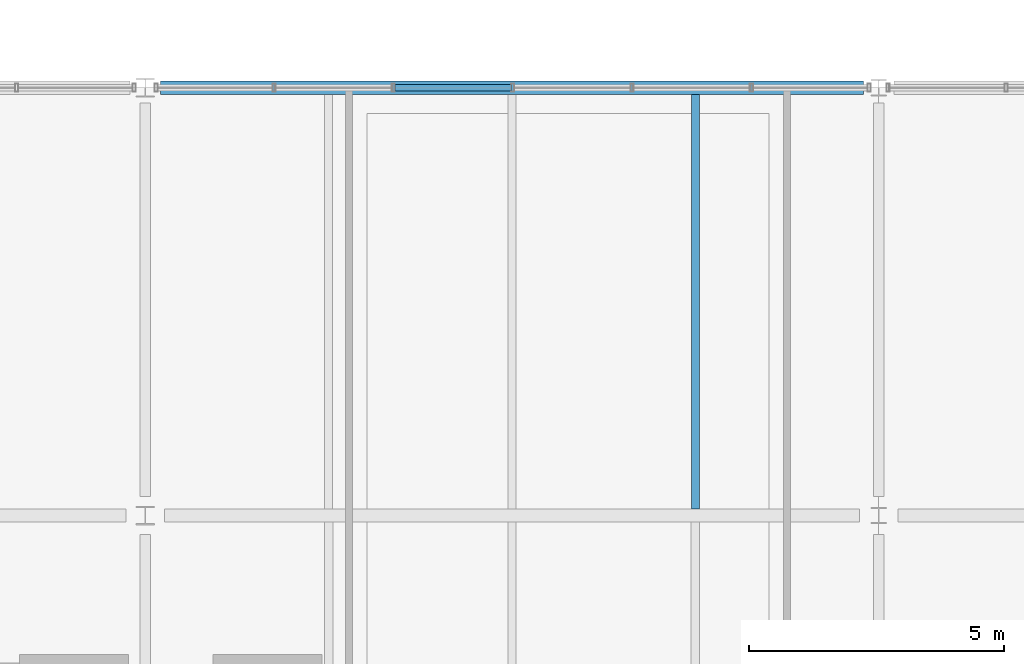
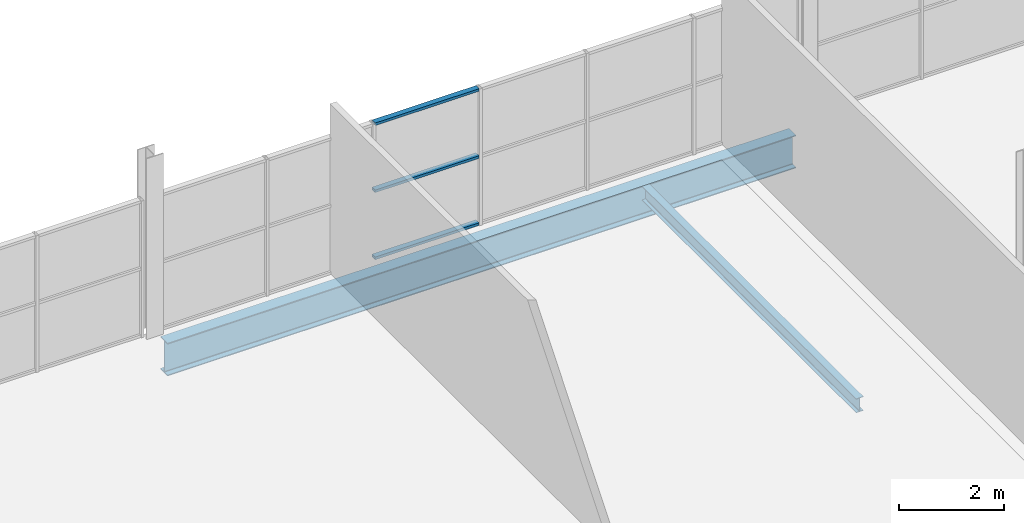
# One storey, part 80 of 161: 3 members, 2 beams, 1 element without a shape of its own.
"""IFC4 building model written with IfcOpenShell, lengths in metres."""

import ifcopenshell
import ifcopenshell.guid

model = None  # the IFC model being written
_history = None  # IfcOwnerHistory: only IFC2X3 demands one
_inside = {}  # id of a spatial element -> (the spatial element, [elements in it])
_under = {}  # id of a project, library or spatial element -> (it, [spatial elements below it])
_declared = {}  # id of a project -> (the project, [libraries it declares])
_typed = {}  # id of a type object -> (the type object, [elements of that type])
_made_of = {}  # id of a material, layer set ... -> (it, [elements and type objects made of it])


def new_model(schema):
    """Start an empty IFC model of exactly this schema.

    Asked for "IFC4X3", IfcOpenShell would pick the latest addendum, in which some entities
    have other attributes; the version numbers below select the first issue.
    IFC2X3 requires an IfcOwnerHistory on every rooted entity: one is made here for all.
    """
    global model, _history
    if schema == "IFC4X3":
        model = ifcopenshell.file(schema_version=(4, 3, 0, 0))
    else:
        model = ifcopenshell.file(schema=schema)
    _inside.clear()
    _under.clear()
    _declared.clear()
    _typed.clear()
    _made_of.clear()
    _history = None
    if model.schema == "IFC2X3":
        org = make("IfcOrganization", Name="unknown")
        user = make(
            "IfcPersonAndOrganization",
            ThePerson=make("IfcPerson", FamilyName="unknown"),
            TheOrganization=org,
        )
        app = make(
            "IfcApplication",
            ApplicationDeveloper=org,
            Version="unknown",
            ApplicationFullName="unknown",
            ApplicationIdentifier="unknown",
        )
        _history = make(
            "IfcOwnerHistory",
            OwningUser=user,
            OwningApplication=app,
            ChangeAction="ADDED",
            CreationDate=0,
        )
    return model


def make(cls, **values):
    """One entity of the class cls with the attributes given. An attribute that is None is left unset."""
    return model.create_entity(
        cls, **{name: value for name, value in values.items() if value is not None}
    )


def rooted(cls, **values):
    """An entity with a GlobalId (a new one), such as an element, a storey or a relation."""
    return make(cls, GlobalId=ifcopenshell.guid.new(), OwnerHistory=_history, **values)


def si_unit(unit_type, name, prefix=None):
    """IfcSIUnit, for example si_unit("LENGTHUNIT", "METRE", prefix="MILLI")."""
    return make("IfcSIUnit", UnitType=unit_type, Prefix=prefix, Name=name)


def assignment(units):
    """IfcUnitAssignment: the units of a project."""
    return None if units is None else make("IfcUnitAssignment", Units=units)


def point(xyz):
    """IfcCartesianPoint."""
    return None if xyz is None else make("IfcCartesianPoint", Coordinates=xyz)


def direction(xyz):
    """IfcDirection."""
    return None if xyz is None else make("IfcDirection", DirectionRatios=xyz)


def frame(location, z_axis=None, x_axis=None):
    """IfcAxis2Placement3D, a coordinate frame: its origin and axes. An axis left out is left unset."""
    return make(
        "IfcAxis2Placement3D",
        Location=point(location),
        Axis=direction(z_axis),
        RefDirection=direction(x_axis),
    )


def frame_2d(location, x_axis=None):
    """IfcAxis2Placement2D, a coordinate frame in the plane: its origin and x axis."""
    return make(
        "IfcAxis2Placement2D", Location=point(location), RefDirection=direction(x_axis)
    )


def origin():
    """The frame at (0, 0, 0) with its axes left unset."""
    return frame((0.0, 0.0, 0.0))


def origin_2d():
    """The frame at (0, 0) in the plane with its x axis left unset."""
    return frame_2d((0.0, 0.0))


def place(relative_to, where):
    """IfcLocalPlacement: puts the frame where relative to a parent placement (None: the world)."""
    return make(
        "IfcLocalPlacement", PlacementRelTo=relative_to, RelativePlacement=where
    )


def context(
    kind, dimensions, precision=None, world=None, true_north=None, identifier=None
):
    """IfcGeometricRepresentationContext, for example the 3D "Model" context."""
    return make(
        "IfcGeometricRepresentationContext",
        ContextIdentifier=identifier,
        ContextType=kind,
        CoordinateSpaceDimension=dimensions,
        Precision=precision,
        WorldCoordinateSystem=world,
        TrueNorth=true_north,
    )


def subcontext(parent, identifier, kind, view, scale=None):
    """IfcGeometricRepresentationSubContext, for example "Body" below "Model"."""
    return make(
        "IfcGeometricRepresentationSubContext",
        ContextIdentifier=identifier,
        ContextType=kind,
        ParentContext=parent,
        TargetScale=scale,
        TargetView=view,
    )


def project(units=None, contexts=None):
    """IfcProject with its units and contexts."""
    return rooted(
        "IfcProject",
        Name="project",
        RepresentationContexts=contexts,
        UnitsInContext=assignment(units),
    )


def spatial(cls, under=None, at=None, **own):
    """A site, building, storey or space (cls), placed at a placement, below another one or the project."""
    s = rooted(cls, ObjectPlacement=at, **own)
    if under is not None:
        _under.setdefault(under.id(), (under, []))[1].append(s)
    return s


def profile(cls, at=None, kind="AREA", **sizes):
    """A parametric profile (cls). Its sizes go by their IFC names, for example OverallWidth=200.0."""
    return make(cls, ProfileType=kind, Position=at, **sizes)


def hollow_rectangle(**sizes):
    """IfcRectangleHollowProfileDef."""
    return profile("IfcRectangleHollowProfileDef", **sizes)


def i_section(**sizes):
    """IfcIShapeProfileDef."""
    return profile("IfcIShapeProfileDef", **sizes)


def extrude(swept, where, along, depth):
    """IfcExtrudedAreaSolid: the profile swept, set in the frame where, extruded along a direction by depth."""
    return make(
        "IfcExtrudedAreaSolid",
        SweptArea=swept,
        Position=where,
        ExtrudedDirection=direction(along),
        Depth=depth,
    )


def shape(context_of_items, identifier, shape_type, items):
    """IfcShapeRepresentation: the items that make up one representation, for example the "Body"."""
    return make(
        "IfcShapeRepresentation",
        ContextOfItems=context_of_items,
        RepresentationIdentifier=identifier,
        RepresentationType=shape_type,
        Items=items,
    )


def material(Name=None, Category=None):
    """IfcMaterial."""
    return make("IfcMaterial", Name=Name, Category=Category)


def material_profile(
    of_material, cross_section, Name=None, Category=None, Priority=None
):
    """IfcMaterialProfile: a cross section and its material."""
    return make(
        "IfcMaterialProfile",
        Name=Name,
        Material=of_material,
        Profile=cross_section,
        Priority=Priority,
        Category=Category,
    )


def profile_set(profiles, Name=None, composite=None):
    """IfcMaterialProfileSet."""
    return make(
        "IfcMaterialProfileSet",
        Name=Name,
        MaterialProfiles=profiles,
        CompositeProfile=composite,
    )


def made_of(thing, what):
    """Note that an element or type object is made of a material, layer set ...; save() writes the relation."""
    if what is not None:
        _made_of.setdefault(what.id(), (what, []))[1].append(thing)
    return thing


def type_object(cls, material=None, **own):
    """A type object (cls), such as IfcWallType, which elements share."""
    return made_of(rooted(cls, **own), material)


def element(
    cls,
    number,
    at=None,
    inside=None,
    cuts=None,
    type_object=None,
    material=None,
    context=None,
    identifier="Body",
    shape_type=None,
    held_by="IfcProductDefinitionShape",
    body=None,
    shapes=None,
    **own,
):
    """One element of the class cls, such as IfcWall. Its Tag is "e" and its number.

    at: its placement. inside: the storey or other place that contains it. cuts: it is an
    opening in that element (IfcRelVoidsElement). A single representation is given by context,
    identifier, shape_type and body (its items); several are given by shapes. held_by: the class
    of the entity that holds the representations. save() writes the other relations.
    """
    e = rooted(cls, Tag="e%d" % number, ObjectPlacement=at, **own)
    if body is not None:
        shapes = [shape(context, identifier, shape_type, body)]
    if shapes is not None:
        e.Representation = make(held_by, Representations=shapes)
    if inside is not None:
        _inside.setdefault(inside.id(), (inside, []))[1].append(e)
    if cuts is not None:
        rooted(
            "IfcRelVoidsElement", RelatingBuildingElement=cuts, RelatedOpeningElement=e
        )
    if type_object is not None:
        _typed.setdefault(type_object.id(), (type_object, []))[1].append(e)
    return made_of(e, material)


def aggregate(whole, parts):
    """IfcRelAggregates: a whole, such as a stair, and the parts it consists of."""
    return rooted("IfcRelAggregates", RelatingObject=whole, RelatedObjects=parts)


def save(model, path):
    """Write the relations noted so far, then the file.

    IfcRelAggregates (storeys below a building ...), IfcRelContainedInSpatialStructure (elements
    in a storey), IfcRelDefinesByType, IfcRelAssociatesMaterial and IfcRelDeclares: one each for
    every whole, place, type object, material and project.
    """
    for whole, parts in _under.values():
        aggregate(whole, parts)
    for where, things in _inside.values():
        rooted(
            "IfcRelContainedInSpatialStructure",
            RelatedElements=things,
            RelatingStructure=where,
        )
    for kind, things in _typed.values():
        rooted("IfcRelDefinesByType", RelatedObjects=things, RelatingType=kind)
    for what, things in _made_of.values():
        rooted("IfcRelAssociatesMaterial", RelatedObjects=things, RelatingMaterial=what)
    for by, libraries in _declared.values():
        rooted("IfcRelDeclares", RelatingContext=by, RelatedDefinitions=libraries)
    model.write(path)


model = new_model("IFC4")

# Units and contexts
model_context = context("Model", 3, precision=1e-05, world=origin(), true_north=direction((0.0, 1.0)))
body_context = subcontext(model_context, "Body", "Model", "MODEL_VIEW")
ifc_project = project(units=[si_unit("LENGTHUNIT", "METRE"), si_unit("AREAUNIT", "SQUARE_METRE"), si_unit("VOLUMEUNIT", "CUBIC_METRE"), si_unit("PLANEANGLEUNIT", "RADIAN"), si_unit("MASSUNIT", "GRAM", prefix="KILO"), si_unit("THERMODYNAMICTEMPERATUREUNIT", "KELVIN")], contexts=[model_context])

# Site, building, storey
site_placement = place(None, origin())
site = spatial("IfcSite", under=ifc_project, at=site_placement, CompositionType="ELEMENT")
building_placement = place(site_placement, origin())
building = spatial("IfcBuilding", under=site, at=building_placement, Name="Nduvali Passage Aquatics Centre", CompositionType="ELEMENT")
storey_placement = place(building_placement, frame((0.0, 0.0, 4.800048828125)))
storey = spatial("IfcBuildingStorey", under=building, at=storey_placement, Name="L01", CompositionType="ELEMENT", Elevation=4.800048828125)

# Curtain wall, members
ifc_material_1 = material(Name="Aluminium EN AW-6063 T6", Category="aluminium")
curtain_wall_type = type_object("IfcCurtainWallType", Name="ENV-CW-WELL", PredefinedType="NOTDEFINED", material=ifc_material_1)
curtain_wall_placement = place(storey_placement, origin())
curtain_wall = element("IfcCurtainWall", 1, at=curtain_wall_placement, inside=storey, type_object=curtain_wall_type, Name="L01 North Avenue Fitness CW 108", PredefinedType="NOTDEFINED")
ifc_material_profile_1 = material_profile(ifc_material_1, hollow_rectangle(XDim=0.1201171875, YDim=0.06005859375, WallThickness=0.00390625, at=origin_2d()), Name="ALU TRANSOM 120x60x4")
ifc_profile_set_1 = profile_set([ifc_material_profile_1], Name="Aluminium EN AW-6063 T6")
member_type = type_object("IfcMemberType", Name="ENV-MEM-TRN60", PredefinedType="USERDEFINED", material=ifc_profile_set_1)
member_1_placement = place(storey_placement, frame((87.701904296875, 117.60009765625, 0.030029296875), z_axis=(1.0, 0.0, 0.0), x_axis=(0.0, 1.0, 0.0)))
member_1 = element("IfcMember", 2, at=member_1_placement, type_object=member_type, Name="North Avenue Fitness CW Transom B3-R0", ObjectType="TRANSOM", PredefinedType="USERDEFINED", context=body_context, shape_type="SweptSolid", body=[
    extrude(hollow_rectangle(XDim=0.1201171875, YDim=0.06005859375, WallThickness=0.00390625, at=origin_2d()), origin(), (0.0, 0.0, 1.0), 2.283447265625),
])
member_2_placement = place(storey_placement, frame((87.701904296875, 117.60009765625, 1.5869140625), z_axis=(1.0, 0.0, 0.0), x_axis=(0.0, 1.0, 0.0)))
member_2 = element("IfcMember", 3, at=member_2_placement, type_object=member_type, Name="North Avenue Fitness CW Transom B3-R1", ObjectType="TRANSOM", PredefinedType="USERDEFINED", context=body_context, shape_type="SweptSolid", body=[
    extrude(hollow_rectangle(XDim=0.1201171875, YDim=0.06005859375, WallThickness=0.00390625, at=origin_2d()), origin(), (0.0, 0.0, 1.0), 2.283447265625),
])
member_3_placement = place(storey_placement, frame((87.701904296875, 117.60009765625, 3.143798828125), z_axis=(1.0, 0.0, 0.0), x_axis=(0.0, 1.0, 0.0)))
member_3 = element("IfcMember", 4, at=member_3_placement, type_object=member_type, Name="North Avenue Fitness CW Transom B3-R2", ObjectType="TRANSOM", PredefinedType="USERDEFINED", context=body_context, shape_type="SweptSolid", body=[
    extrude(hollow_rectangle(XDim=0.1201171875, YDim=0.06005859375, WallThickness=0.00390625, at=origin_2d()), origin(), (0.0, 0.0, 1.0), 2.283447265625),
])
aggregate(curtain_wall, [member_1, member_2, member_3])

# Beams
ifc_material_2 = material(Name="Steel S355", Category="steel")
ifc_material_profile_2 = material_profile(ifc_material_2, i_section(OverallWidth=0.2666015625, OverallDepth=0.76220703125, WebThickness=0.014404296875, FlangeThickness=0.021484375, FilletRadius=0.0166015625, at=origin_2d()), Name="UKB 762x267x173")
ifc_profile_set_2 = profile_set([ifc_material_profile_2], Name="Steel S355")
beam_type_1 = type_object("IfcBeamType", Name="STR-BM-UKB762-EXT", PredefinedType="BEAM", material=ifc_profile_set_2)
beam_1_placement = place(storey_placement, frame((83.10009765625, 117.60009765625, -0.6650390625), z_axis=(1.0, 0.0, 0.0), x_axis=(0.0, 1.0, 0.0)))
element("IfcBeam", 5, at=beam_1_placement, inside=storey, type_object=beam_type_1, Name="L01 Primary X-Girder B4CE-0554", PredefinedType="BEAM", context=body_context, shape_type="SweptSolid", body=[
    extrude(i_section(OverallWidth=0.2666015625, OverallDepth=0.76220703125, WebThickness=0.014404296875, FlangeThickness=0.021484375, FilletRadius=0.0166015625, at=origin_2d()), origin(), (0.0, 0.0, 1.0), 13.7998046875),
])
ifc_material_profile_3 = material_profile(ifc_material_2, i_section(OverallWidth=0.159912109375, OverallDepth=0.330078125, WebThickness=0.007568359375, FlangeThickness=0.011474609375, FilletRadius=0.01806640625, at=origin_2d()), Name="IPE 330")
ifc_profile_set_3 = profile_set([ifc_material_profile_3], Name="Steel S355")
beam_type_2 = type_object("IfcBeamType", Name="STR-JST-IPE330", PredefinedType="JOIST", material=ifc_profile_set_3)
beam_2_placement = place(storey_placement, frame((93.60009765625, 109.326904296875, -0.448974609375), z_axis=(0.0, 1.0, 0.0), x_axis=(-1.0, 0.0, 0.0)))
element("IfcBeam", 6, at=beam_2_placement, inside=storey, type_object=beam_type_2, Name="L01 Secondary Joist J6A-0852", PredefinedType="JOIST", context=body_context, shape_type="SweptSolid", body=[
    extrude(i_section(OverallWidth=0.159912109375, OverallDepth=0.330078125, WebThickness=0.007568359375, FlangeThickness=0.011474609375, FilletRadius=0.01806640625, at=origin_2d()), origin(), (0.0, 0.0, 1.0), 8.139892578125),
])

save(model, "model.ifc")
